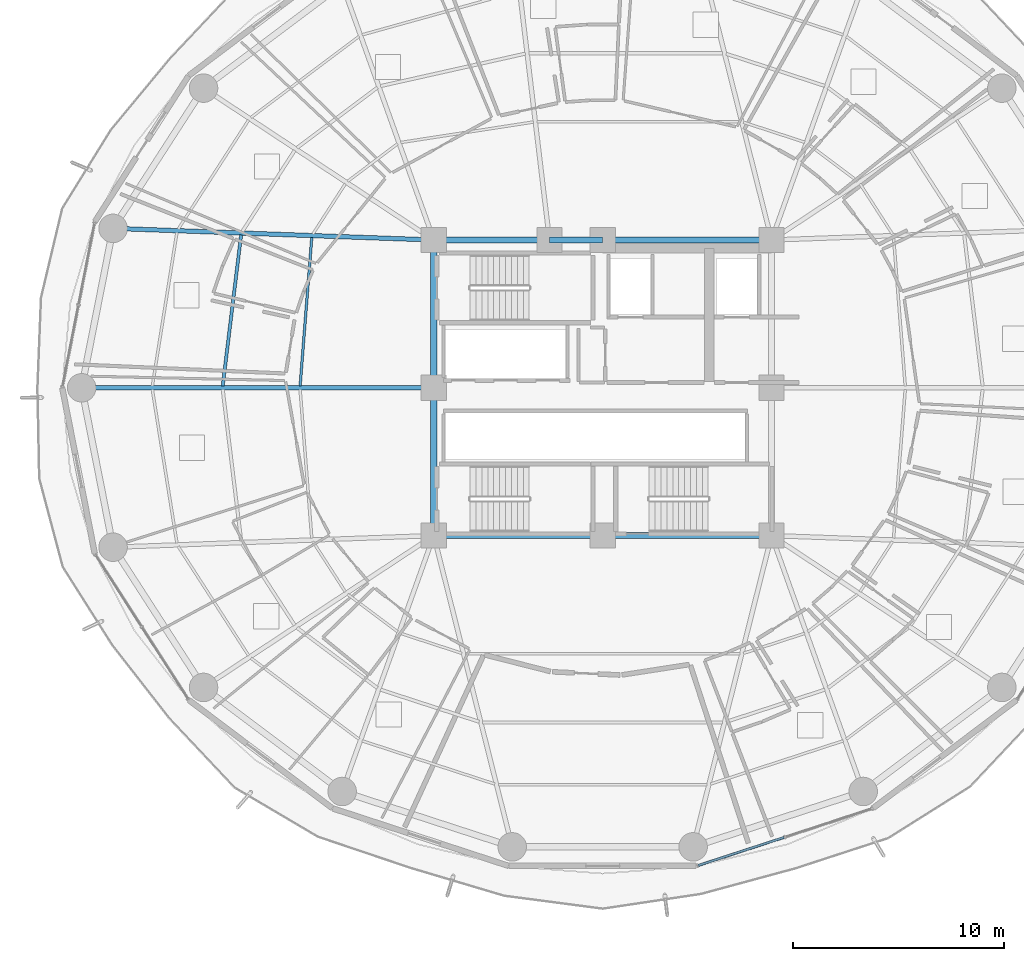
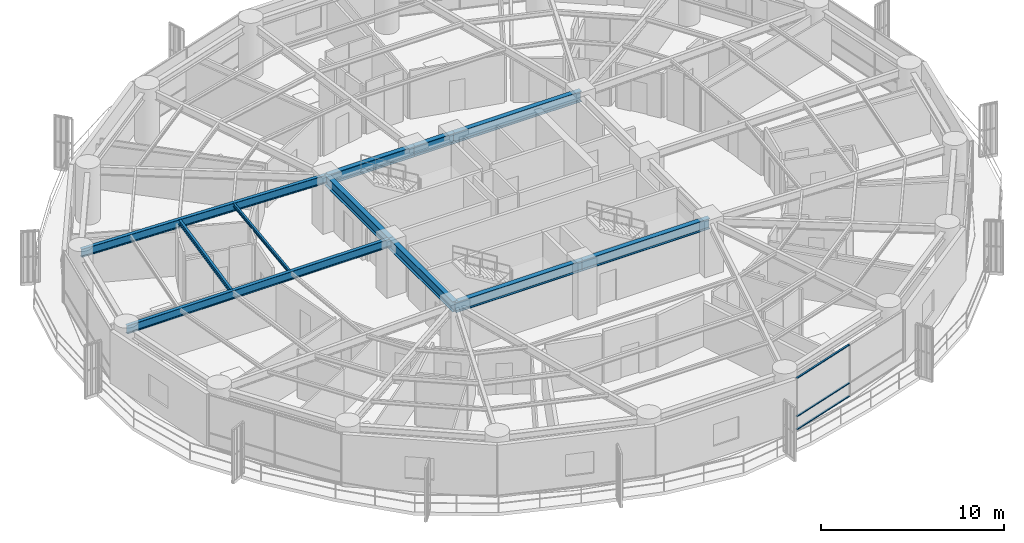
# One storey, part 9 of 37: 11 beams, 3 members, 1 element without a shape of its own.
"""IFC4 building model written with IfcOpenShell, lengths in metres."""

from ifc_helpers import new_model, si_unit, direction, frame, origin, origin_2d, place, context, subcontext, project, spatial, hollow_rectangle, i_section, extrude, material, layer, layer_set, material_profile, profile_set, type_object, element, aggregate, save


model = new_model("IFC4")

# Units and contexts
model_context = context("Model", 3, precision=1e-05, world=origin(), true_north=direction((0.0, 1.0)))
body_context = subcontext(model_context, "Body", "Model", "MODEL_VIEW")
ifc_project = project(units=[si_unit("LENGTHUNIT", "METRE"), si_unit("AREAUNIT", "SQUARE_METRE"), si_unit("VOLUMEUNIT", "CUBIC_METRE"), si_unit("PLANEANGLEUNIT", "RADIAN"), si_unit("MASSUNIT", "GRAM", prefix="KILO")], contexts=[model_context])

# Site, building, storey
site_placement = place(None, origin())
site = spatial("IfcSite", under=ifc_project, at=site_placement, CompositionType="ELEMENT")
building_placement = place(site_placement, origin())
building = spatial("IfcBuilding", under=site, at=building_placement, Name="Kelanora Arch Commons", CompositionType="ELEMENT")
storey_placement = place(building_placement, frame((0.0, 0.0, 110.10009765625)))
storey = spatial("IfcBuildingStorey", under=building, at=storey_placement, Name="L28", CompositionType="ELEMENT", Elevation=110.10009765625)

# Beams
ifc_material_1 = material(Name="Steel S355", Category="steel")
ifc_material_profile_1 = material_profile(ifc_material_1, i_section(OverallWidth=0.300048828125, OverallDepth=0.699951171875, WebThickness=0.01708984375, FlangeThickness=0.031982421875, FilletRadius=0.027099609375, at=origin_2d()), Name="HEB700")
ifc_profile_set_1 = profile_set([ifc_material_profile_1], Name="Steel S355")
beam_type_1 = type_object("IfcBeamType", Name="BM-CORE-HDR", PredefinedType="BEAM", material=ifc_profile_set_1)
for number, where, z_axis, x_axis, name in (
    (1, (66.0, 51.0, 3.139892578125), (1.0, 0.0, 0.0), (0.0, 1.0, 0.0), "Core Header Beam 01 L28"),
    (2, (74.0, 51.0, 3.139892578125), (1.0, 0.0, 0.0), (0.0, 1.0, 0.0), "Core Header Beam 02 L28"),
    (3, (82.0, 65.0, 3.139892578125), (-1.0, 0.0, 0.0), (0.0, -1.0, 0.0), "Core Header Beam 05 L28"),
):
    element("IfcBeam", number, at=place(storey_placement, frame(where, z_axis=z_axis, x_axis=x_axis)), inside=storey, type_object=beam_type_1, Name=name, PredefinedType="BEAM", context=body_context, shape_type="SweptSolid", body=[
        extrude(i_section(OverallWidth=0.300048828125, OverallDepth=0.699951171875, WebThickness=0.01708984375, FlangeThickness=0.031982421875, FilletRadius=0.027099609375, at=origin_2d()), origin(), (0.0, 0.0, 1.0), 8.0),
    ])
beam_1_placement = place(storey_placement, frame((74.0, 65.0, 3.139892578125), z_axis=(-1.0, 0.0, 0.0), x_axis=(0.0, -1.0, 0.0)))
element("IfcBeam", 4, at=beam_1_placement, inside=storey, type_object=beam_type_1, Name="Core Header Beam 06 L28", PredefinedType="BEAM", context=body_context, shape_type="SweptSolid", body=[
    extrude(i_section(OverallWidth=0.300048828125, OverallDepth=0.699951171875, WebThickness=0.01708984375, FlangeThickness=0.031982421875, FilletRadius=0.027099609375, at=origin_2d()), origin(), (0.0, 0.0, 1.0), 2.52001953125),
])
beam_2_placement = place(storey_placement, frame((71.47998046875, 65.0, 3.139892578125), z_axis=(-1.0, 0.0, 0.0), x_axis=(0.0, -1.0, 0.0)))
element("IfcBeam", 5, at=beam_2_placement, inside=storey, type_object=beam_type_1, Name="Core Header Beam 07 L28", PredefinedType="BEAM", context=body_context, shape_type="SweptSolid", body=[
    extrude(i_section(OverallWidth=0.300048828125, OverallDepth=0.699951171875, WebThickness=0.01708984375, FlangeThickness=0.031982421875, FilletRadius=0.027099609375, at=origin_2d()), origin(), (0.0, 0.0, 1.0), 5.47998046875),
])
for number, where, z_axis, x_axis, name in (
    (6, (66.0, 65.0, 3.139892578125), (0.0, -1.0, 0.0), (1.0, 0.0, 0.0), "Core Header Beam 08 L28"),
    (7, (66.0, 58.0, 3.139892578125), (0.0, -1.0, 0.0), (1.0, 0.0, 0.0), "Core Header Beam 09 L28"),
):
    element("IfcBeam", number, at=place(storey_placement, frame(where, z_axis=z_axis, x_axis=x_axis)), inside=storey, type_object=beam_type_1, Name=name, PredefinedType="BEAM", context=body_context, shape_type="SweptSolid", body=[
        extrude(i_section(OverallWidth=0.300048828125, OverallDepth=0.699951171875, WebThickness=0.01708984375, FlangeThickness=0.031982421875, FilletRadius=0.027099609375, at=origin_2d()), origin(), (0.0, 0.0, 1.0), 7.0),
    ])
ifc_material_profile_2 = material_profile(ifc_material_1, i_section(OverallWidth=0.14990234375, OverallDepth=0.300048828125, WebThickness=0.007080078125, FlangeThickness=0.0107421875, FilletRadius=0.014892578125, at=origin_2d()), Name="IPE300")
ifc_profile_set_2 = profile_set([ifc_material_profile_2], Name="Steel S355")
beam_type_2 = type_object("IfcBeamType", Name="BM-JST-01", PredefinedType="JOIST", material=ifc_profile_set_2)
beam_3_placement = place(storey_placement, frame((56.874755859375, 65.24658203125, 3.33984375), z_axis=(-0.120935645266, -0.992660349618, 0.0), x_axis=(0.992660349618, -0.120935645266, 0.0)))
element("IfcBeam", 8, at=beam_3_placement, inside=storey, type_object=beam_type_2, Name="Secondary Chord Joist BJB-16 L28", PredefinedType="JOIST", context=body_context, shape_type="SweptSolid", body=[
    extrude(i_section(OverallWidth=0.14990234375, OverallDepth=0.300048828125, WebThickness=0.007080078125, FlangeThickness=0.0107421875, FilletRadius=0.014892578125, at=origin_2d()), origin(), (0.0, 0.0, 1.0), 7.215087890625),
])
ifc_material_profile_3 = material_profile(ifc_material_1, i_section(OverallWidth=0.1201171875, OverallDepth=0.239990234375, WebThickness=0.006103515625, FlangeThickness=0.009765625, FilletRadius=0.014892578125, at=origin_2d()), Name="IPE240")
ifc_profile_set_3 = profile_set([ifc_material_profile_3], Name="Steel S355")
beam_type_3 = type_object("IfcBeamType", Name="BM-JST-02", PredefinedType="JOIST", material=ifc_profile_set_3)
beam_4_placement = place(storey_placement, frame((60.220458984375, 65.125, 3.369873046875), z_axis=(-0.078200677502, -0.996937637989, 0.0), x_axis=(0.996937637989, -0.078200677502, 0.0)))
element("IfcBeam", 9, at=beam_4_placement, inside=storey, type_object=beam_type_3, Name="Secondary Chord Joist BJA-16 L28", PredefinedType="JOIST", context=body_context, shape_type="SweptSolid", body=[
    extrude(i_section(OverallWidth=0.1201171875, OverallDepth=0.239990234375, WebThickness=0.006103515625, FlangeThickness=0.009765625, FilletRadius=0.014892578125, at=origin_2d()), origin(), (0.0, 0.0, 1.0), 7.06201171875),
])
ifc_material_profile_4 = material_profile(ifc_material_1, i_section(OverallWidth=0.2099609375, OverallDepth=0.550048828125, WebThickness=0.010986328125, FlangeThickness=0.01708984375, FilletRadius=0.02392578125, at=origin_2d()), Name="IPE550")
ifc_profile_set_4 = profile_set([ifc_material_profile_4], Name="Steel S355")
beam_type_4 = type_object("IfcBeamType", Name="BM-RAD-Z2", PredefinedType="BEAM", material=ifc_profile_set_4)
beam_5_placement = place(storey_placement, frame((66.0, 65.0, 3.21484375), z_axis=(-0.999341087625, 0.036295875581, 0.0), x_axis=(-0.036295875581, -0.999341087625, 0.0)))
element("IfcBeam", 10, at=beam_5_placement, inside=storey, type_object=beam_type_4, Name="Radial Floor Girder BR-16 L28", PredefinedType="BEAM", context=body_context, shape_type="SweptSolid", body=[
    extrude(i_section(OverallWidth=0.2099609375, OverallDepth=0.550048828125, WebThickness=0.010986328125, FlangeThickness=0.01708984375, FilletRadius=0.02392578125, at=origin_2d()), origin(), (0.0, 0.0, 1.0), 15.20166015625),
])
beam_6_placement = place(storey_placement, frame((66.0, 58.0, 3.21484375), z_axis=(-1.0, 0.0, 0.0), x_axis=(0.0, -1.0, 0.0)))
element("IfcBeam", 11, at=beam_6_placement, inside=storey, type_object=beam_type_4, Name="Radial Floor Girder BR-18 L28", PredefinedType="BEAM", context=body_context, shape_type="SweptSolid", body=[
    extrude(i_section(OverallWidth=0.2099609375, OverallDepth=0.550048828125, WebThickness=0.010986328125, FlangeThickness=0.01708984375, FilletRadius=0.02392578125, at=origin_2d()), origin(), (0.0, 0.0, 1.0), 16.679931640625),
])

# Curtain wall, members
ifc_material_2 = material(Name="Terracotta ceramic-fritted low-E glass and aluminium", Category="masonry")
ifc_layer = layer(ifc_material_2, 0.159912109375)
ifc_layer_set = layer_set([ifc_layer], Name="Terracotta ceramic-fritted low-E glass and aluminium")
curtain_wall_type = type_object("IfcCurtainWallType", Name="CW-SYS-01", PredefinedType="NOTDEFINED", material=ifc_layer_set)
curtain_wall_placement = place(storey_placement, origin())
curtain_wall = element("IfcCurtainWall", 12, at=curtain_wall_placement, inside=storey, type_object=curtain_wall_type, Name="Unitised Curtain Wall L28-B14", PredefinedType="NOTDEFINED")
ifc_material_3 = material(Name="Powder-coated aluminium terracotta", Category="masonry")
ifc_material_profile_5 = material_profile(ifc_material_3, hollow_rectangle(XDim=0.1201171875, YDim=0.06005859375, WallThickness=0.0048828125, InnerFilletRadius=0.0048828125, OuterFilletRadius=0.010009765625, at=origin_2d()), Name="CWT120x60")
ifc_profile_set_5 = profile_set([ifc_material_profile_5], Name="Powder-coated aluminium terracotta")
member_type = type_object("IfcMemberType", Name="CWT-STD", PredefinedType="USERDEFINED", material=ifc_profile_set_5)
member_1_placement = place(storey_placement, frame((78.516845703125, 35.372802734375, 0.02978515625), z_axis=(0.950477544745, 0.31079323824, 0.0), x_axis=(-0.31079323824, 0.950477544745, 0.0)))
member_1 = element("IfcMember", 13, at=member_1_placement, type_object=member_type, Name="CW-01 transom 1.1", ObjectType="TRANSOM", PredefinedType="USERDEFINED", context=body_context, shape_type="SweptSolid", body=[
    extrude(hollow_rectangle(XDim=0.1201171875, YDim=0.06005859375, WallThickness=0.0048828125, InnerFilletRadius=0.0048828125, OuterFilletRadius=0.010009765625, at=origin_2d()), origin(), (0.0, 0.0, 1.0), 4.289794921875),
])
member_2_placement = place(storey_placement, frame((78.516845703125, 35.372802734375, 0.89990234375), z_axis=(0.950477544745, 0.31079323824, 0.0), x_axis=(-0.31079323824, 0.950477544745, 0.0)))
member_2 = element("IfcMember", 14, at=member_2_placement, type_object=member_type, Name="CW-01 transom 1.2", ObjectType="TRANSOM", PredefinedType="USERDEFINED", context=body_context, shape_type="SweptSolid", body=[
    extrude(hollow_rectangle(XDim=0.1201171875, YDim=0.06005859375, WallThickness=0.0048828125, InnerFilletRadius=0.0048828125, OuterFilletRadius=0.010009765625, at=origin_2d()), origin(), (0.0, 0.0, 1.0), 4.289794921875),
])
member_3_placement = place(storey_placement, frame((78.516845703125, 35.372802734375, 3.44482421875), z_axis=(0.950477544745, 0.31079323824, 0.0), x_axis=(-0.31079323824, 0.950477544745, 0.0)))
member_3 = element("IfcMember", 15, at=member_3_placement, type_object=member_type, Name="CW-01 transom 1.3", ObjectType="TRANSOM", PredefinedType="USERDEFINED", context=body_context, shape_type="SweptSolid", body=[
    extrude(hollow_rectangle(XDim=0.1201171875, YDim=0.06005859375, WallThickness=0.0048828125, InnerFilletRadius=0.0048828125, OuterFilletRadius=0.010009765625, at=origin_2d()), origin(), (0.0, 0.0, 1.0), 4.289794921875),
])
aggregate(curtain_wall, [member_1, member_2, member_3])

save(model, "model.ifc")
